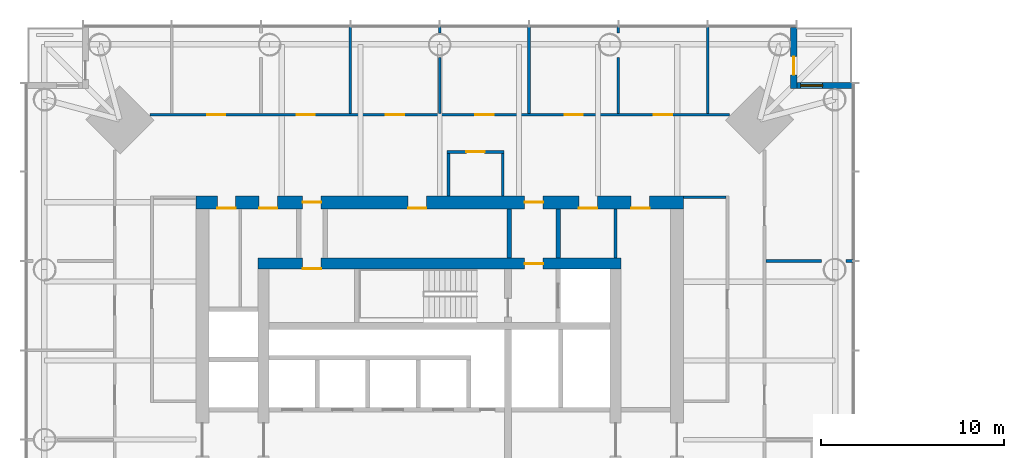
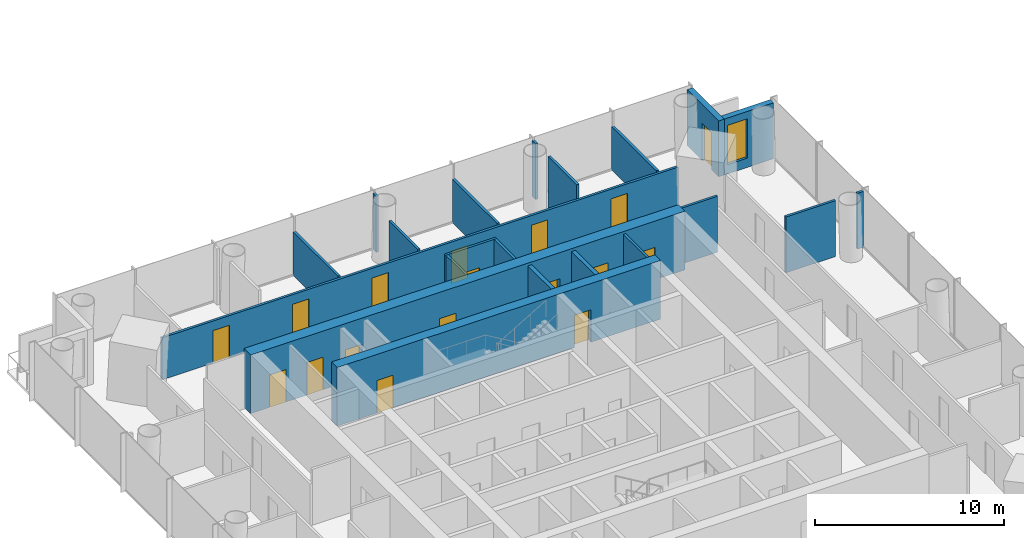
# One storey, part 11 of 18: 21 walls, 17 doors, 1 window, 18 openings.
"""IFC4 building model written with IfcOpenShell, lengths in metres."""

from ifc_helpers import new_model, si_unit, direction, frame, frame_2d, origin, place, context, subcontext, project, spatial, rectangle, extrude, material, layer, layer_set, type_object, element, fill, save


model = new_model("IFC4")

# Units and contexts
model_context = context("Model", 3, precision=1e-05, world=origin(), true_north=direction((0.0, 1.0)))
body_context = subcontext(model_context, "Body", "Model", "MODEL_VIEW")
ifc_project = project(units=[si_unit("LENGTHUNIT", "METRE"), si_unit("AREAUNIT", "SQUARE_METRE"), si_unit("VOLUMEUNIT", "CUBIC_METRE"), si_unit("PLANEANGLEUNIT", "RADIAN"), si_unit("MASSUNIT", "GRAM", prefix="KILO")], contexts=[model_context])

# Site, building, storey
site_placement = place(None, origin())
site = spatial("IfcSite", under=ifc_project, at=site_placement, CompositionType="ELEMENT")
building_placement = place(site_placement, origin())
building = spatial("IfcBuilding", under=site, at=building_placement, Name="Ostroluk Exchange", CompositionType="ELEMENT")
storey_placement = place(building_placement, frame((0.0, 0.0, 97.0)))
storey = spatial("IfcBuildingStorey", under=building, at=storey_placement, Name="L24", CompositionType="ELEMENT", Elevation=97.0)

# Walls
ifc_material_1 = material(Name="Concrete blockwork", Category="masonry")
ifc_layer_1 = layer(ifc_material_1, 0.14990234375)
ifc_layer_set_1 = layer_set([ifc_layer_1], Name="Blockwork plant room wall 150")
wall_type_1 = type_object("IfcWallType", Name="Blockwork plant room wall 150", PredefinedType="SOLIDWALL", material=ifc_layer_set_1)
wall_1_placement = place(storey_placement, frame((54.60009765625, 55.89990234375, 0.0), z_axis=(0.0, 0.0, 1.0), x_axis=(0.0, 1.0, 0.0)))
element("IfcWall", 1, at=wall_1_placement, inside=storey, type_object=wall_type_1, Name="Core room wall", PredefinedType="SOLIDWALL", context=body_context, shape_type="SweptSolid", body=[
    extrude(rectangle(XDim=2.7001953125, YDim=0.14990234375, at=frame_2d((1.35009765625, 0.0))), origin(), (0.0, 0.0, 1.0), 3.6201171875),
])
ifc_material_2 = material(Name="Concrete blockwork", Category="masonry")
ifc_layer_2 = layer(ifc_material_2, 0.25)
ifc_layer_set_2 = layer_set([ifc_layer_2], Name="Blockwork stair enclosure wall 250")
wall_type_2 = type_object("IfcWallType", Name="Blockwork stair enclosure wall 250", PredefinedType="SOLIDWALL", material=ifc_layer_set_2)
for number, where, z_axis, x_axis, name in (
    (2, (48.804931640625, 55.89990234375, 0.0), (0.0, 0.0, 1.0), (0.0, 1.0, 0.0), "Fire lobby enclosure wall"),
    (3, (51.47509765625, 55.89990234375, 0.0), (0.0, 0.0, 1.0), (0.0, 1.0, 0.0), "Fire lobby enclosure wall"),
):
    element("IfcWall", number, at=place(storey_placement, frame(where, z_axis=z_axis, x_axis=x_axis)), inside=storey, type_object=wall_type_2, Name=name, PredefinedType="SOLIDWALL", context=body_context, shape_type="SweptSolid", body=[
        extrude(rectangle(XDim=2.7001953125, YDim=0.25, at=frame_2d((1.35009765625, 0.0))), origin(), (0.0, 0.0, 1.0), 3.6201171875),
    ])

# Wall, openings, doors
ifc_material_3 = material(Name="Concrete C50/60", Category="concrete")
ifc_layer_3 = layer(ifc_material_3, 0.60009765625)
ifc_layer_set_3 = layer_set([ifc_layer_3], Name="Core wall 600 C50/60")
wall_type_3 = type_object("IfcWallType", Name="Core wall 600 C50/60", PredefinedType="SHEAR", material=ifc_layer_set_3)
wall_2_placement = place(storey_placement, frame((35.10009765625, 55.60009765625, 0.0), z_axis=(0.0, 0.0, 1.0), x_axis=(1.0, 0.0, 0.0)))
wall_2 = element("IfcWall", 4, at=wall_2_placement, inside=storey, type_object=wall_type_3, Name="T1 core wall N", PredefinedType="SHEAR", context=body_context, shape_type="SweptSolid", body=[
    extrude(rectangle(XDim=19.7998046875, YDim=0.60009765625, at=frame_2d((9.89990234375, 0.0))), origin(), (0.0, 0.0, 1.0), 3.800048828125),
])
opening_1_placement = place(wall_2_placement, frame((14.5400390625, 0.0, 0.0)))
opening_1 = element("IfcOpeningElement", 5, at=opening_1_placement, cuts=wall_2, Name="Opening FD60", PredefinedType="OPENING", context=body_context, shape_type="SweptSolid", body=[
    extrude(rectangle(XDim=1.0, YDim=2.10009765625, at=frame_2d((0.5, 1.050048828125))), frame((0.0, 0.31005859375, 0.0), z_axis=(0.0, -1.0, 0.0), x_axis=(1.0, 0.0, 0.0)), (0.0, 0.0, 1.0), 0.6201171875),
])
opening_2_placement = place(wall_2_placement, frame((2.425048828125, 0.0, 0.0)))
opening_2 = element("IfcOpeningElement", 6, at=opening_2_placement, cuts=wall_2, Name="Opening FD60", PredefinedType="OPENING", context=body_context, shape_type="SweptSolid", body=[
    extrude(rectangle(XDim=1.0, YDim=2.10009765625, at=frame_2d((0.5, 1.050048828125))), frame((0.0, 0.31005859375, 0.0), z_axis=(0.0, -1.0, 0.0), x_axis=(1.0, 0.0, 0.0)), (0.0, 0.0, 1.0), 0.6201171875),
])
ifc_material_4 = material(Name="Steel", Category="steel")
door_type_1 = type_object("IfcDoorType", Name="Fire door EI 60 1000 x 2100", OperationType="SINGLE_SWING_LEFT", PredefinedType="DOOR", material=ifc_material_4)
door_1_placement = place(opening_1_placement, origin())
door_1 = element("IfcDoor", 7, at=door_1_placement, inside=storey, type_object=door_type_1, Name="Firefighting lobby door", OperationType="SINGLE_SWING_RIGHT", OverallHeight=2.10009765625, OverallWidth=1.0, PredefinedType="DOOR", context=body_context, shape_type="SweptSolid", body=[
    extrude(rectangle(XDim=1.0, YDim=2.10009765625, at=frame_2d((0.5, 1.050048828125))), frame((0.0, 0.02490234375, 0.0), z_axis=(0.0, -1.0, 0.0), x_axis=(1.0, 0.0, 0.0)), (0.0, 0.0, 1.0), 0.050048828125),
])
fill(opening_1, door_1)
door_2_placement = place(opening_2_placement, origin())
door_2 = element("IfcDoor", 8, at=door_2_placement, inside=storey, type_object=door_type_1, Name="Tea point door", OperationType="SINGLE_SWING_LEFT", OverallHeight=2.10009765625, OverallWidth=1.0, PredefinedType="DOOR", context=body_context, shape_type="SweptSolid", body=[
    extrude(rectangle(XDim=1.0, YDim=2.10009765625, at=frame_2d((0.5, 1.050048828125))), frame((0.0, -0.23974609375, 0.0), z_axis=(0.0, -1.0, 0.0), x_axis=(1.0, 0.0, 0.0)), (0.0, 0.0, 1.0), 0.050048828125),
])
fill(opening_2, door_2)

ifc_material_5 = material(Name="Concrete C50/60", Category="concrete")
ifc_layer_4 = layer(ifc_material_5, 0.699951171875)
ifc_layer_set_4 = layer_set([ifc_layer_4], Name="Core wall 700 C50/60")
wall_type_4 = type_object("IfcWallType", Name="Core wall 700 C50/60", PredefinedType="SHEAR", material=ifc_layer_set_4)
wall_3_placement = place(storey_placement, frame((31.699951171875, 58.949951171875, 0.0), z_axis=(0.0, 0.0, 1.0), x_axis=(1.0, 0.0, 0.0)))
wall_3 = element("IfcWall", 9, at=wall_3_placement, inside=storey, type_object=wall_type_4, Name="T1 core wall RN", PredefinedType="SHEAR", context=body_context, shape_type="SweptSolid", body=[
    extrude(rectangle(XDim=26.60009765625, YDim=0.699951171875, at=frame_2d((13.300048828125, 0.0))), origin(), (0.0, 0.0, 1.0), 3.800048828125),
])
opening_3_placement = place(wall_3_placement, frame((17.93994140625, 0.0, 0.0)))
opening_3 = element("IfcOpeningElement", 10, at=opening_3_placement, cuts=wall_3, Name="Opening FD60", PredefinedType="OPENING", context=body_context, shape_type="SweptSolid", body=[
    extrude(rectangle(XDim=1.0, YDim=2.10009765625, at=frame_2d((0.5, 1.050048828125))), frame((0.0, 0.35986328125, 0.0), z_axis=(0.0, -1.0, 0.0), x_axis=(1.0, 0.0, 0.0)), (0.0, 0.0, 1.0), 0.719970703125),
])
opening_4_placement = place(wall_3_placement, frame((5.824951171875, 0.0, 0.0)))
opening_4 = element("IfcOpeningElement", 11, at=opening_4_placement, cuts=wall_3, Name="Opening FD60", PredefinedType="OPENING", context=body_context, shape_type="SweptSolid", body=[
    extrude(rectangle(XDim=1.0, YDim=2.10009765625, at=frame_2d((0.5, 1.050048828125))), frame((0.0, 0.35986328125, 0.0), z_axis=(0.0, -1.0, 0.0), x_axis=(1.0, 0.0, 0.0)), (0.0, 0.0, 1.0), 0.719970703125),
])
opening_5_placement = place(wall_3_placement, frame((1.1689453125, 0.0, 0.0)))
opening_5 = element("IfcOpeningElement", 12, at=opening_5_placement, cuts=wall_3, Name="Opening FD60", PredefinedType="OPENING", context=body_context, shape_type="SweptSolid", body=[
    extrude(rectangle(XDim=1.0, YDim=2.10009765625, at=frame_2d((0.5, 1.050048828125))), frame((0.0, 0.35986328125, 0.0), z_axis=(0.0, -1.0, 0.0), x_axis=(1.0, 0.0, 0.0)), (0.0, 0.0, 1.0), 0.719970703125),
])
opening_6_placement = place(wall_3_placement, frame((3.447021484375, 0.0, 0.0)))
opening_6 = element("IfcOpeningElement", 13, at=opening_6_placement, cuts=wall_3, Name="Opening FD60", PredefinedType="OPENING", context=body_context, shape_type="SweptSolid", body=[
    extrude(rectangle(XDim=1.0, YDim=2.10009765625, at=frame_2d((0.5, 1.050048828125))), frame((0.0, 0.35986328125, 0.0), z_axis=(0.0, -1.0, 0.0), x_axis=(1.0, 0.0, 0.0)), (0.0, 0.0, 1.0), 0.719970703125),
])
opening_7_placement = place(wall_3_placement, frame((11.577392578125, 0.0, 0.0)))
opening_7 = element("IfcOpeningElement", 14, at=opening_7_placement, cuts=wall_3, Name="Opening FD60", PredefinedType="OPENING", context=body_context, shape_type="SweptSolid", body=[
    extrude(rectangle(XDim=1.0, YDim=2.10009765625, at=frame_2d((0.5, 1.050048828125))), frame((0.0, 0.35986328125, 0.0), z_axis=(0.0, -1.0, 0.0), x_axis=(1.0, 0.0, 0.0)), (0.0, 0.0, 1.0), 0.719970703125),
])
opening_8_placement = place(wall_3_placement, frame((20.89990234375, 0.0, 0.0)))
opening_8 = element("IfcOpeningElement", 15, at=opening_8_placement, cuts=wall_3, Name="Opening FD60", PredefinedType="OPENING", context=body_context, shape_type="SweptSolid", body=[
    extrude(rectangle(XDim=1.0, YDim=2.10009765625, at=frame_2d((0.5, 1.050048828125))), frame((0.0, 0.35986328125, 0.0), z_axis=(0.0, -1.0, 0.0), x_axis=(1.0, 0.0, 0.0)), (0.0, 0.0, 1.0), 0.719970703125),
])
opening_9_placement = place(wall_3_placement, frame((23.75, 0.0, 0.0)))
opening_9 = element("IfcOpeningElement", 16, at=opening_9_placement, cuts=wall_3, Name="Opening FD60", PredefinedType="OPENING", context=body_context, shape_type="SweptSolid", body=[
    extrude(rectangle(XDim=1.0, YDim=2.10009765625, at=frame_2d((0.5, 1.050048828125))), frame((0.0, 0.35986328125, 0.0), z_axis=(0.0, -1.0, 0.0), x_axis=(1.0, 0.0, 0.0)), (0.0, 0.0, 1.0), 0.719970703125),
])
door_3_placement = place(opening_3_placement, origin())
door_3 = element("IfcDoor", 17, at=door_3_placement, inside=storey, type_object=door_type_1, Name="Firefighting lobby door", OperationType="SINGLE_SWING_RIGHT", OverallHeight=2.10009765625, OverallWidth=1.0, PredefinedType="DOOR", context=body_context, shape_type="SweptSolid", body=[
    extrude(rectangle(XDim=1.0, YDim=2.10009765625, at=frame_2d((0.5, 1.050048828125))), frame((0.0, 0.02490234375, 0.0), z_axis=(0.0, -1.0, 0.0), x_axis=(1.0, 0.0, 0.0)), (0.0, 0.0, 1.0), 0.050048828125),
])
fill(opening_3, door_3)
door_4_placement = place(opening_4_placement, origin())
door_4 = element("IfcDoor", 18, at=door_4_placement, inside=storey, type_object=door_type_1, Name="Core corridor door", OperationType="SINGLE_SWING_LEFT", OverallHeight=2.10009765625, OverallWidth=1.0, PredefinedType="DOOR", context=body_context, shape_type="SweptSolid", body=[
    extrude(rectangle(XDim=1.0, YDim=2.10009765625, at=frame_2d((0.5, 1.050048828125))), frame((0.0, 0.02490234375, 0.0), z_axis=(0.0, -1.0, 0.0), x_axis=(1.0, 0.0, 0.0)), (0.0, 0.0, 1.0), 0.050048828125),
])
fill(opening_4, door_4)
door_5_placement = place(opening_5_placement, origin())
door_5 = element("IfcDoor", 19, at=door_5_placement, inside=storey, type_object=door_type_1, Name="Tenant IT room door", OperationType="SINGLE_SWING_LEFT", OverallHeight=2.10009765625, OverallWidth=1.0, PredefinedType="DOOR", context=body_context, shape_type="SweptSolid", body=[
    extrude(rectangle(XDim=1.0, YDim=2.10009765625, at=frame_2d((0.5, 1.050048828125))), frame((0.0, -0.2900390625, 0.0), z_axis=(0.0, -1.0, 0.0), x_axis=(1.0, 0.0, 0.0)), (0.0, 0.0, 1.0), 0.050048828125),
])
fill(opening_5, door_5)
door_6_placement = place(opening_6_placement, origin())
door_6 = element("IfcDoor", 20, at=door_6_placement, inside=storey, type_object=door_type_1, Name="First aid room door", OperationType="SINGLE_SWING_LEFT", OverallHeight=2.10009765625, OverallWidth=1.0, PredefinedType="DOOR", context=body_context, shape_type="SweptSolid", body=[
    extrude(rectangle(XDim=1.0, YDim=2.10009765625, at=frame_2d((0.5, 1.050048828125))), frame((0.0, -0.2900390625, 0.0), z_axis=(0.0, -1.0, 0.0), x_axis=(1.0, 0.0, 0.0)), (0.0, 0.0, 1.0), 0.050048828125),
])
fill(opening_6, door_6)
door_7_placement = place(opening_7_placement, origin())
door_7 = element("IfcDoor", 21, at=door_7_placement, inside=storey, type_object=door_type_1, Name="Print and post room door", OperationType="SINGLE_SWING_LEFT", OverallHeight=2.10009765625, OverallWidth=1.0, PredefinedType="DOOR", context=body_context, shape_type="SweptSolid", body=[
    extrude(rectangle(XDim=1.0, YDim=2.10009765625, at=frame_2d((0.5, 1.050048828125))), frame((0.0, -0.2900390625, 0.0), z_axis=(0.0, -1.0, 0.0), x_axis=(1.0, 0.0, 0.0)), (0.0, 0.0, 1.0), 0.050048828125),
])
fill(opening_7, door_7)
door_8_placement = place(opening_8_placement, origin())
door_8 = element("IfcDoor", 22, at=door_8_placement, inside=storey, type_object=door_type_1, Name="First aid room door", OperationType="SINGLE_SWING_RIGHT", OverallHeight=2.10009765625, OverallWidth=1.0, PredefinedType="DOOR", context=body_context, shape_type="SweptSolid", body=[
    extrude(rectangle(XDim=1.0, YDim=2.10009765625, at=frame_2d((0.5, 1.050048828125))), frame((0.0, -0.2900390625, 0.0), z_axis=(0.0, -1.0, 0.0), x_axis=(1.0, 0.0, 0.0)), (0.0, 0.0, 1.0), 0.050048828125),
])
fill(opening_8, door_8)
door_9_placement = place(opening_9_placement, origin())
door_9 = element("IfcDoor", 23, at=door_9_placement, inside=storey, type_object=door_type_1, Name="Tea point door", OperationType="SINGLE_SWING_RIGHT", OverallHeight=2.10009765625, OverallWidth=1.0, PredefinedType="DOOR", context=body_context, shape_type="SweptSolid", body=[
    extrude(rectangle(XDim=1.0, YDim=2.10009765625, at=frame_2d((0.5, 1.050048828125))), frame((0.0, -0.2900390625, 0.0), z_axis=(0.0, -1.0, 0.0), x_axis=(1.0, 0.0, 0.0)), (0.0, 0.0, 1.0), 0.050048828125),
])
fill(opening_9, door_9)

# Wall, opening, door
ifc_material_6 = material(Name="Limestone", Category="masonry")
ifc_layer_5 = layer(ifc_material_6, 0.35009765625)
ifc_layer_set_5 = layer_set([ifc_layer_5], Name="Limestone facade wall 350")
wall_type_5 = type_object("IfcWallType", Name="Limestone facade wall 350", PredefinedType="SOLIDWALL", material=ifc_layer_set_5)
wall_4_placement = place(storey_placement, frame((64.324951171875, 68.5, 0.0), z_axis=(0.0, 0.0, 1.0), x_axis=(0.0, -1.0, 0.0)))
wall_4 = element("IfcWall", 24, at=wall_4_placement, inside=storey, type_object=wall_type_5, Name="Office tower NE corner wall L24 a", PredefinedType="SOLIDWALL", context=body_context, shape_type="SweptSolid", body=[
    extrude(rectangle(XDim=3.35009765625, YDim=0.35009765625, at=frame_2d((1.675048828125, 0.0))), origin(), (0.0, 0.0, 1.0), 3.6201171875),
])
opening_10_placement = place(wall_4_placement, frame((1.60009765625, 0.0, 0.0)))
opening_10 = element("IfcOpeningElement", 25, at=opening_10_placement, cuts=wall_4, Name="Opening D-B1", PredefinedType="OPENING", context=body_context, shape_type="SweptSolid", body=[
    extrude(rectangle(XDim=1.0, YDim=2.39990234375, at=frame_2d((0.5, 1.199951171875))), frame((0.0, 0.18505859375, 0.0), z_axis=(0.0, -1.0, 0.0), x_axis=(1.0, 0.0, 0.0)), (0.0, 0.0, 1.0), 0.3701171875),
])
ifc_material_7 = material(Name="Bronze framed glazed door", Category="aluminium")
door_type_2 = type_object("IfcDoorType", Name="Balcony door 1000 x 2400", OperationType="SINGLE_SWING_LEFT", PredefinedType="DOOR", material=ifc_material_7)
door_10_placement = place(opening_10_placement, origin())
door_10 = element("IfcDoor", 26, at=door_10_placement, inside=storey, type_object=door_type_2, Name="Office tower NE balcony door L24", OperationType="SINGLE_SWING_RIGHT", OverallHeight=2.39990234375, OverallWidth=1.0, PredefinedType="DOOR", context=body_context, shape_type="SweptSolid", body=[
    extrude(rectangle(XDim=1.0, YDim=2.39990234375, at=frame_2d((0.5, 1.199951171875))), frame((0.0, 0.02490234375, 0.0), z_axis=(0.0, -1.0, 0.0), x_axis=(1.0, 0.0, 0.0)), (0.0, 0.0, 1.0), 0.050048828125),
])
fill(opening_10, door_10)

# Wall, opening, window
wall_5_placement = place(storey_placement, frame((64.5, 65.324951171875, 0.0), z_axis=(0.0, 0.0, 1.0), x_axis=(1.0, 0.0, 0.0)))
wall_5 = element("IfcWall", 27, at=wall_5_placement, inside=storey, type_object=wall_type_5, Name="Office tower NE corner wall L24 b", PredefinedType="SOLIDWALL", context=body_context, shape_type="SweptSolid", body=[
    extrude(rectangle(XDim=3.0, YDim=0.35009765625, at=frame_2d((1.5, 0.0))), origin(), (0.0, 0.0, 1.0), 3.6201171875),
])
opening_11_placement = place(wall_5_placement, frame((0.199951171875, 0.0, 0.60009765625)))
opening_11 = element("IfcOpeningElement", 28, at=opening_11_placement, cuts=wall_5, Name="Opening WN-L1", PredefinedType="OPENING", context=body_context, shape_type="SweptSolid", body=[
    extrude(rectangle(XDim=1.199951171875, YDim=2.550048828125, at=frame_2d((0.60009765625, 1.27490234375))), frame((0.0, 0.18505859375, 0.0), z_axis=(0.0, -1.0, 0.0), x_axis=(1.0, 0.0, 0.0)), (0.0, 0.0, 1.0), 0.3701171875),
])
ifc_material_8 = material(Name="Laminated clear glass", Category="glass")
window_type = type_object("IfcWindowType", Name="Lancet window 1200 x 2550", PartitioningType="SINGLE_PANEL", PredefinedType="WINDOW", material=ifc_material_8)
window_placement = place(opening_11_placement, origin())
window = element("IfcWindow", 29, at=window_placement, inside=storey, type_object=window_type, Name="Office tower NE lancet window L24", OverallHeight=2.550048828125, OverallWidth=1.199951171875, PartitioningType="SINGLE_PANEL", PredefinedType="WINDOW", context=body_context, shape_type="SweptSolid", body=[
    extrude(rectangle(XDim=1.199951171875, YDim=2.550048828125, at=frame_2d((0.60009765625, 1.27490234375))), frame((0.0, 0.030029296875, 0.0), z_axis=(0.0, -1.0, 0.0), x_axis=(1.0, 0.0, 0.0)), (0.0, 0.0, 1.0), 0.06005859375),
])
fill(opening_11, window)

# Wall
ifc_material_9 = material(Name="Gypsum plasterboard partition", Category="gypsum")
ifc_layer_6 = layer(ifc_material_9, 0.14990234375)
ifc_layer_set_6 = layer_set([ifc_layer_6], Name="Plasterboard partition 150")
wall_type_6 = type_object("IfcWallType", Name="Plasterboard partition 150", PredefinedType="PARTITIONING", material=ifc_layer_set_6)
wall_6_placement = place(storey_placement, frame((58.300048828125, 59.22509765625, 0.0), z_axis=(0.0, 0.0, 1.0), x_axis=(1.0, 0.0, 0.0)))
element("IfcWall", 30, at=wall_6_placement, inside=storey, type_object=wall_type_6, Name="Partition", PredefinedType="PARTITIONING", context=body_context, shape_type="SweptSolid", body=[
    extrude(rectangle(XDim=2.324951171875, YDim=0.14990234375, at=frame_2d((1.16259765625, 0.0))), origin(), (0.0, 0.0, 1.0), 3.6201171875),
])

# Wall, opening, door
wall_7_placement = place(storey_placement, frame((48.514892578125, 61.699951171875, 0.0), z_axis=(0.0, 0.0, 1.0), x_axis=(-1.0, 0.0, 0.0)))
wall_7 = element("IfcWall", 31, at=wall_7_placement, inside=storey, type_object=wall_type_6, Name="Partition", PredefinedType="PARTITIONING", context=body_context, shape_type="SweptSolid", body=[
    extrude(rectangle(XDim=3.1123046875, YDim=0.14990234375, at=frame_2d((1.55615234375, 0.0))), origin(), (0.0, 0.0, 1.0), 3.6201171875),
])
opening_12_placement = place(wall_7_placement, frame((1.05615234375, 0.0, 0.0)))
opening_12 = element("IfcOpeningElement", 32, at=opening_12_placement, cuts=wall_7, Name="Opening D-03", PredefinedType="OPENING", context=body_context, shape_type="SweptSolid", body=[
    extrude(rectangle(XDim=1.0, YDim=2.10009765625, at=frame_2d((0.5, 1.050048828125))), frame((0.0, 0.0849609375, 0.0), z_axis=(0.0, -1.0, 0.0), x_axis=(1.0, 0.0, 0.0)), (0.0, 0.0, 1.0), 0.169921875),
])
ifc_material_10 = material(Name="Timber", Category="wood")
door_type_3 = type_object("IfcDoorType", Name="Internal door 1000 x 2100", OperationType="SINGLE_SWING_LEFT", PredefinedType="DOOR", material=ifc_material_10)
door_11_placement = place(opening_12_placement, origin())
door_11 = element("IfcDoor", 33, at=door_11_placement, inside=storey, type_object=door_type_3, Name="Staff room door", OperationType="SINGLE_SWING_RIGHT", OverallHeight=2.10009765625, OverallWidth=1.0, PredefinedType="DOOR", context=body_context, shape_type="SweptSolid", body=[
    extrude(rectangle(XDim=1.0, YDim=2.10009765625, at=frame_2d((0.5, 1.050048828125))), frame((0.0, 0.02490234375, 0.0), z_axis=(0.0, -1.0, 0.0), x_axis=(1.0, 0.0, 0.0)), (0.0, 0.0, 1.0), 0.050048828125),
])
fill(opening_12, door_11)

# Walls
for number, where, z_axis, x_axis, name in (
    (34, (48.43994140625, 59.300048828125, 0.0), (0.0, 0.0, 1.0), (0.0, 1.0, 0.0), "Partition"),
    (35, (45.4775390625, 59.300048828125, 0.0), (0.0, 0.0, 1.0), (0.0, 1.0, 0.0), "Partition"),
):
    element("IfcWall", number, at=place(storey_placement, frame(where, z_axis=z_axis, x_axis=x_axis)), inside=storey, type_object=wall_type_6, Name=name, PredefinedType="PARTITIONING", context=body_context, shape_type="SweptSolid", body=[
        extrude(rectangle(XDim=2.324951171875, YDim=0.14990234375, at=frame_2d((1.16259765625, 0.0))), origin(), (0.0, 0.0, 1.0), 3.6201171875),
    ])
wall_8_placement = place(storey_placement, frame((62.800048828125, 55.75, 0.0), z_axis=(0.0, 0.0, 1.0), x_axis=(1.0, 0.0, 0.0)))
element("IfcWall", 36, at=wall_8_placement, inside=storey, type_object=wall_type_6, Name="Partition", PredefinedType="PARTITIONING", context=body_context, shape_type="SweptSolid", body=[
    extrude(rectangle(XDim=3.04052734375, YDim=0.14990234375, at=frame_2d((1.520263671875, 0.0))), origin(), (0.0, 0.0, 1.0), 3.6201171875),
])
wall_9_placement = place(storey_placement, frame((67.180908203125, 55.75, 0.0), z_axis=(0.0, 0.0, 1.0), x_axis=(1.0, 0.0, 0.0)))
element("IfcWall", 37, at=wall_9_placement, inside=storey, type_object=wall_type_6, Name="Partition", PredefinedType="PARTITIONING", context=body_context, shape_type="SweptSolid", body=[
    extrude(rectangle(XDim=0.359130859375, YDim=0.14990234375, at=frame_2d((0.1796875, 0.0))), origin(), (0.0, 0.0, 1.0), 3.6201171875),
])

# Wall, openings, doors
wall_10_placement = place(storey_placement, frame((60.8115234375, 63.72509765625, 0.0), z_axis=(0.0, 0.0, 1.0), x_axis=(-1.0, 0.0, 0.0)))
wall_10 = element("IfcWall", 38, at=wall_10_placement, inside=storey, type_object=wall_type_6, Name="Partition", PredefinedType="PARTITIONING", context=body_context, shape_type="SweptSolid", body=[
    extrude(rectangle(XDim=31.623046875, YDim=0.14990234375, at=frame_2d((15.8115234375, 0.0))), origin(), (0.0, 0.0, 1.0), 2.719970703125),
])
opening_13_placement = place(wall_10_placement, frame((3.1240234375, 0.0, 0.0)))
opening_13 = element("IfcOpeningElement", 39, at=opening_13_placement, cuts=wall_10, Name="Opening D-03", PredefinedType="OPENING", context=body_context, shape_type="SweptSolid", body=[
    extrude(rectangle(XDim=1.0, YDim=2.10009765625, at=frame_2d((0.5, 1.050048828125))), frame((0.0, 0.0849609375, 0.0), z_axis=(0.0, -1.0, 0.0), x_axis=(1.0, 0.0, 0.0)), (0.0, 0.0, 1.0), 0.169921875),
])
opening_14_placement = place(wall_10_placement, frame((7.9990234375, 0.0, 0.0)))
opening_14 = element("IfcOpeningElement", 40, at=opening_14_placement, cuts=wall_10, Name="Opening D-03", PredefinedType="OPENING", context=body_context, shape_type="SweptSolid", body=[
    extrude(rectangle(XDim=1.0, YDim=2.10009765625, at=frame_2d((0.5, 1.050048828125))), frame((0.0, 0.0849609375, 0.0), z_axis=(0.0, -1.0, 0.0), x_axis=(1.0, 0.0, 0.0)), (0.0, 0.0, 1.0), 0.169921875),
])
opening_15_placement = place(wall_10_placement, frame((12.8740234375, 0.0, 0.0)))
opening_15 = element("IfcOpeningElement", 41, at=opening_15_placement, cuts=wall_10, Name="Opening D-03", PredefinedType="OPENING", context=body_context, shape_type="SweptSolid", body=[
    extrude(rectangle(XDim=1.0, YDim=2.10009765625, at=frame_2d((0.5, 1.050048828125))), frame((0.0, 0.0849609375, 0.0), z_axis=(0.0, -1.0, 0.0), x_axis=(1.0, 0.0, 0.0)), (0.0, 0.0, 1.0), 0.169921875),
])
opening_16_placement = place(wall_10_placement, frame((17.7490234375, 0.0, 0.0)))
opening_16 = element("IfcOpeningElement", 42, at=opening_16_placement, cuts=wall_10, Name="Opening D-03", PredefinedType="OPENING", context=body_context, shape_type="SweptSolid", body=[
    extrude(rectangle(XDim=1.0, YDim=2.10009765625, at=frame_2d((0.5, 1.050048828125))), frame((0.0, 0.0849609375, 0.0), z_axis=(0.0, -1.0, 0.0), x_axis=(1.0, 0.0, 0.0)), (0.0, 0.0, 1.0), 0.169921875),
])
opening_17_placement = place(wall_10_placement, frame((22.6240234375, 0.0, 0.0)))
opening_17 = element("IfcOpeningElement", 43, at=opening_17_placement, cuts=wall_10, Name="Opening D-03", PredefinedType="OPENING", context=body_context, shape_type="SweptSolid", body=[
    extrude(rectangle(XDim=1.0, YDim=2.10009765625, at=frame_2d((0.5, 1.050048828125))), frame((0.0, 0.0849609375, 0.0), z_axis=(0.0, -1.0, 0.0), x_axis=(1.0, 0.0, 0.0)), (0.0, 0.0, 1.0), 0.169921875),
])
opening_18_placement = place(wall_10_placement, frame((27.4990234375, 0.0, 0.0)))
opening_18 = element("IfcOpeningElement", 44, at=opening_18_placement, cuts=wall_10, Name="Opening D-03", PredefinedType="OPENING", context=body_context, shape_type="SweptSolid", body=[
    extrude(rectangle(XDim=1.0, YDim=2.10009765625, at=frame_2d((0.5, 1.050048828125))), frame((0.0, 0.0849609375, 0.0), z_axis=(0.0, -1.0, 0.0), x_axis=(1.0, 0.0, 0.0)), (0.0, 0.0, 1.0), 0.169921875),
])
door_12_placement = place(opening_13_placement, origin())
door_12 = element("IfcDoor", 45, at=door_12_placement, inside=storey, type_object=door_type_3, Name="Office door", OperationType="SINGLE_SWING_LEFT", OverallHeight=2.10009765625, OverallWidth=1.0, PredefinedType="DOOR", context=body_context, shape_type="SweptSolid", body=[
    extrude(rectangle(XDim=1.0, YDim=2.10009765625, at=frame_2d((0.5, 1.050048828125))), frame((0.0, 0.02490234375, 0.0), z_axis=(0.0, -1.0, 0.0), x_axis=(1.0, 0.0, 0.0)), (0.0, 0.0, 1.0), 0.050048828125),
])
fill(opening_13, door_12)
door_13_placement = place(opening_14_placement, origin())
door_13 = element("IfcDoor", 46, at=door_13_placement, inside=storey, type_object=door_type_3, Name="Office door", OperationType="SINGLE_SWING_LEFT", OverallHeight=2.10009765625, OverallWidth=1.0, PredefinedType="DOOR", context=body_context, shape_type="SweptSolid", body=[
    extrude(rectangle(XDim=1.0, YDim=2.10009765625, at=frame_2d((0.5, 1.050048828125))), frame((0.0, 0.02490234375, 0.0), z_axis=(0.0, -1.0, 0.0), x_axis=(1.0, 0.0, 0.0)), (0.0, 0.0, 1.0), 0.050048828125),
])
fill(opening_14, door_13)
door_14_placement = place(opening_15_placement, origin())
door_14 = element("IfcDoor", 47, at=door_14_placement, inside=storey, type_object=door_type_3, Name="Office door", OperationType="SINGLE_SWING_LEFT", OverallHeight=2.10009765625, OverallWidth=1.0, PredefinedType="DOOR", context=body_context, shape_type="SweptSolid", body=[
    extrude(rectangle(XDim=1.0, YDim=2.10009765625, at=frame_2d((0.5, 1.050048828125))), frame((0.0, 0.02490234375, 0.0), z_axis=(0.0, -1.0, 0.0), x_axis=(1.0, 0.0, 0.0)), (0.0, 0.0, 1.0), 0.050048828125),
])
fill(opening_15, door_14)
door_15_placement = place(opening_16_placement, origin())
door_15 = element("IfcDoor", 48, at=door_15_placement, inside=storey, type_object=door_type_3, Name="Office door", OperationType="SINGLE_SWING_RIGHT", OverallHeight=2.10009765625, OverallWidth=1.0, PredefinedType="DOOR", context=body_context, shape_type="SweptSolid", body=[
    extrude(rectangle(XDim=1.0, YDim=2.10009765625, at=frame_2d((0.5, 1.050048828125))), frame((0.0, 0.02490234375, 0.0), z_axis=(0.0, -1.0, 0.0), x_axis=(1.0, 0.0, 0.0)), (0.0, 0.0, 1.0), 0.050048828125),
])
fill(opening_16, door_15)
door_16_placement = place(opening_17_placement, origin())
door_16 = element("IfcDoor", 49, at=door_16_placement, inside=storey, type_object=door_type_3, Name="Office door", OperationType="SINGLE_SWING_RIGHT", OverallHeight=2.10009765625, OverallWidth=1.0, PredefinedType="DOOR", context=body_context, shape_type="SweptSolid", body=[
    extrude(rectangle(XDim=1.0, YDim=2.10009765625, at=frame_2d((0.5, 1.050048828125))), frame((0.0, 0.02490234375, 0.0), z_axis=(0.0, -1.0, 0.0), x_axis=(1.0, 0.0, 0.0)), (0.0, 0.0, 1.0), 0.050048828125),
])
fill(opening_17, door_16)
door_17_placement = place(opening_18_placement, origin())
door_17 = element("IfcDoor", 50, at=door_17_placement, inside=storey, type_object=door_type_3, Name="Office door", OperationType="SINGLE_SWING_RIGHT", OverallHeight=2.10009765625, OverallWidth=1.0, PredefinedType="DOOR", context=body_context, shape_type="SweptSolid", body=[
    extrude(rectangle(XDim=1.0, YDim=2.10009765625, at=frame_2d((0.5, 1.050048828125))), frame((0.0, 0.02490234375, 0.0), z_axis=(0.0, -1.0, 0.0), x_axis=(1.0, 0.0, 0.0)), (0.0, 0.0, 1.0), 0.050048828125),
])
fill(opening_18, door_17)

# Walls
wall_11_placement = place(storey_placement, frame((59.625, 63.800048828125, 0.0), z_axis=(0.0, 0.0, 1.0), x_axis=(0.0, 1.0, 0.0)))
element("IfcWall", 51, at=wall_11_placement, inside=storey, type_object=wall_type_6, Name="Partition", PredefinedType="PARTITIONING", context=body_context, shape_type="SweptSolid", body=[
    extrude(rectangle(XDim=4.739990234375, YDim=0.14990234375, at=frame_2d((2.3701171875, 0.0))), origin(), (0.0, 0.0, 1.0), 2.820068359375),
])
wall_12_placement = place(storey_placement, frame((54.75, 63.800048828125, 0.0), z_axis=(0.0, 0.0, 1.0), x_axis=(0.0, 1.0, 0.0)))
element("IfcWall", 52, at=wall_12_placement, inside=storey, type_object=wall_type_6, Name="Partition", PredefinedType="PARTITIONING", context=body_context, shape_type="SweptSolid", body=[
    extrude(rectangle(XDim=3.04052734375, YDim=0.14990234375, at=frame_2d((1.520263671875, 0.0))), origin(), (0.0, 0.0, 1.0), 3.6201171875),
])
wall_13_placement = place(storey_placement, frame((54.75, 68.180908203125, 0.0), z_axis=(0.0, 0.0, 1.0), x_axis=(0.0, 1.0, 0.0)))
element("IfcWall", 53, at=wall_13_placement, inside=storey, type_object=wall_type_6, Name="Partition", PredefinedType="PARTITIONING", context=body_context, shape_type="SweptSolid", body=[
    extrude(rectangle(XDim=0.359130859375, YDim=0.14990234375, at=frame_2d((0.1796875, 0.0))), origin(), (0.0, 0.0, 1.0), 3.6201171875),
])
wall_14_placement = place(storey_placement, frame((49.875, 63.800048828125, 0.0), z_axis=(0.0, 0.0, 1.0), x_axis=(0.0, 1.0, 0.0)))
element("IfcWall", 54, at=wall_14_placement, inside=storey, type_object=wall_type_6, Name="Partition", PredefinedType="PARTITIONING", context=body_context, shape_type="SweptSolid", body=[
    extrude(rectangle(XDim=4.739990234375, YDim=0.14990234375, at=frame_2d((2.3701171875, 0.0))), origin(), (0.0, 0.0, 1.0), 2.820068359375),
])
wall_15_placement = place(storey_placement, frame((45.0, 63.800048828125, 0.0), z_axis=(0.0, 0.0, 1.0), x_axis=(0.0, 1.0, 0.0)))
element("IfcWall", 55, at=wall_15_placement, inside=storey, type_object=wall_type_6, Name="Partition", PredefinedType="PARTITIONING", context=body_context, shape_type="SweptSolid", body=[
    extrude(rectangle(XDim=3.04052734375, YDim=0.14990234375, at=frame_2d((1.520263671875, 0.0))), origin(), (0.0, 0.0, 1.0), 2.85791015625),
])
wall_16_placement = place(storey_placement, frame((45.0, 68.180908203125, 0.0), z_axis=(0.0, 0.0, 1.0), x_axis=(0.0, 1.0, 0.0)))
element("IfcWall", 56, at=wall_16_placement, inside=storey, type_object=wall_type_6, Name="Partition", PredefinedType="PARTITIONING", context=body_context, shape_type="SweptSolid", body=[
    extrude(rectangle(XDim=0.359130859375, YDim=0.14990234375, at=frame_2d((0.1796875, 0.0))), origin(), (0.0, 0.0, 1.0), 3.6201171875),
])
wall_17_placement = place(storey_placement, frame((40.125, 63.800048828125, 0.0), z_axis=(0.0, 0.0, 1.0), x_axis=(0.0, 1.0, 0.0)))
element("IfcWall", 57, at=wall_17_placement, inside=storey, type_object=wall_type_6, Name="Partition", PredefinedType="PARTITIONING", context=body_context, shape_type="SweptSolid", body=[
    extrude(rectangle(XDim=4.739990234375, YDim=0.14990234375, at=frame_2d((2.3701171875, 0.0))), origin(), (0.0, 0.0, 1.0), 2.820068359375),
])

save(model, "model.ifc")
